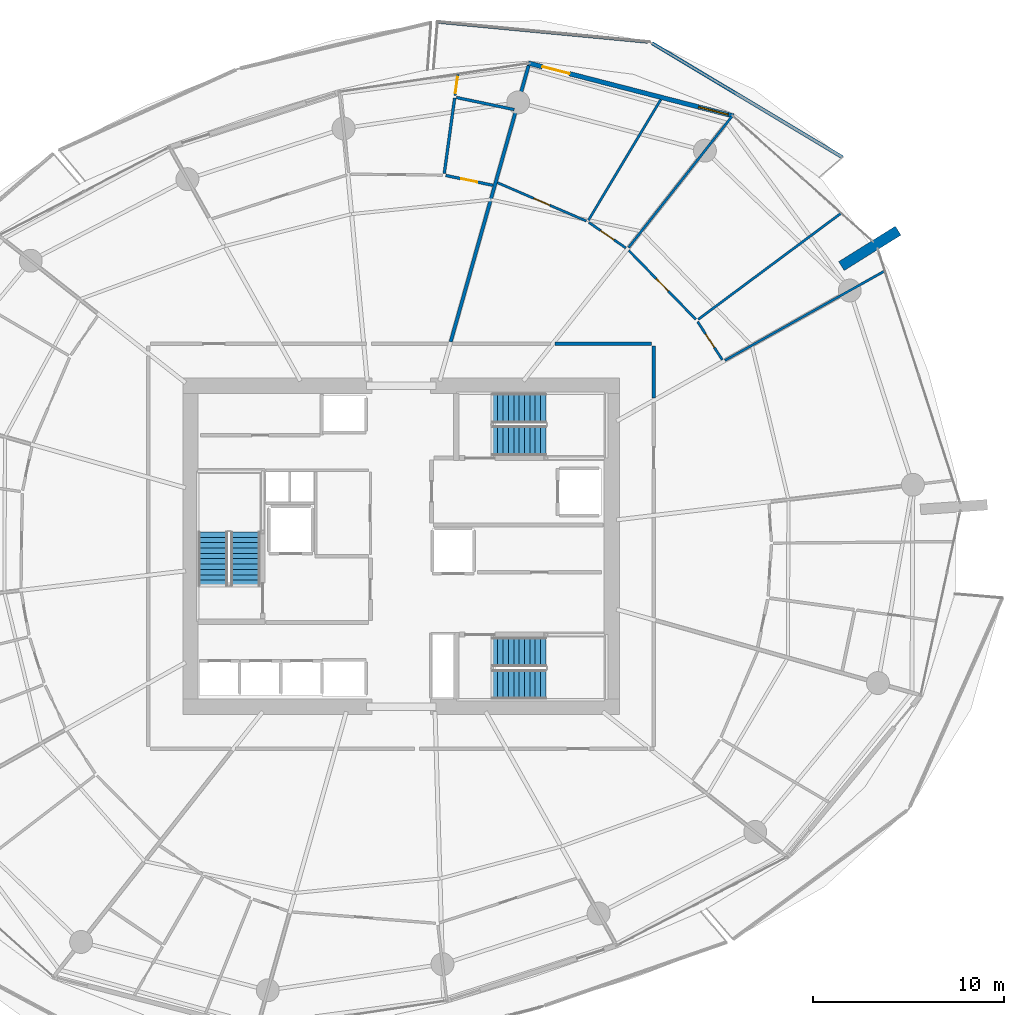
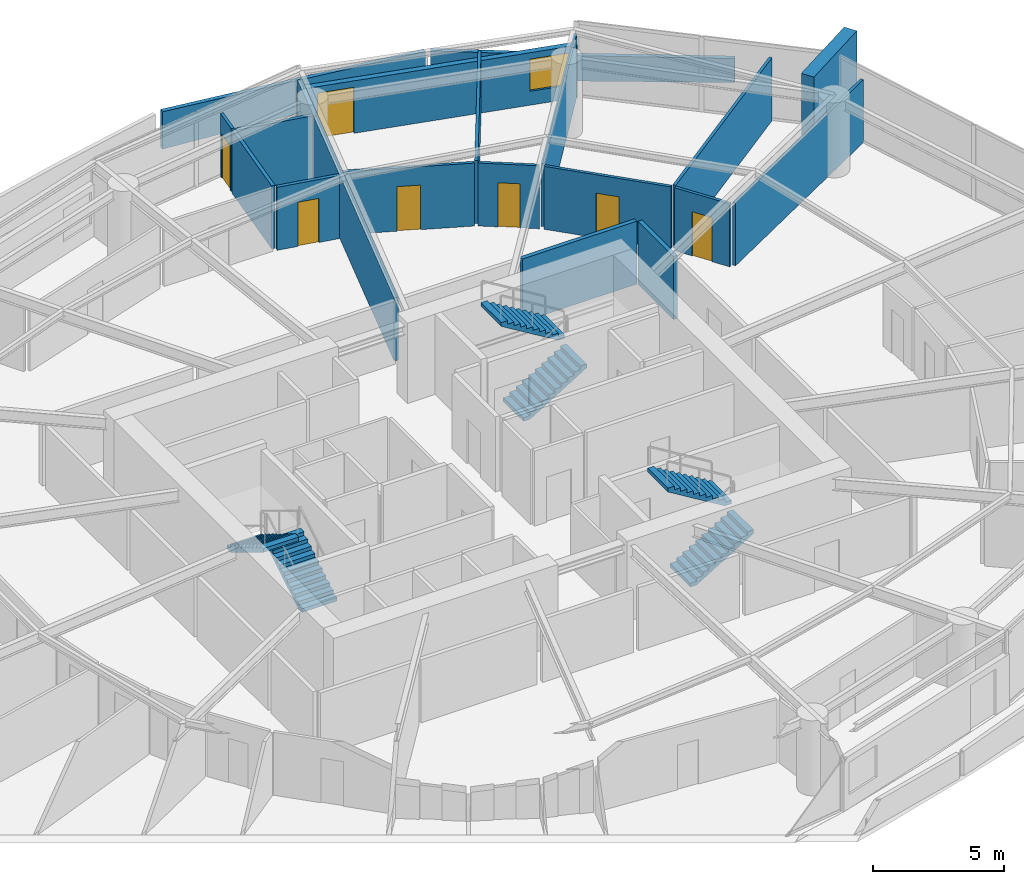
# One storey, part 15 of 22: 19 walls, 7 doors, 6 stair flights, 1 window, 8 openings, 3 elements without a shape of their own.
"""IFC4 building model written with IfcOpenShell, lengths in metres."""

from ifc_helpers import new_model, si_unit, direction, frame, frame_2d, origin, place, context, subcontext, project, spatial, polyline, rectangle, outline, extrude, material, layer, layer_set, type_object, element, fill, aggregate, save


model = new_model("IFC4")

# Units and contexts
model_context = context("Model", 3, precision=1e-05, world=origin(), true_north=direction((0.0, 1.0)))
body_context = subcontext(model_context, "Body", "Model", "MODEL_VIEW")
ifc_project = project(units=[si_unit("LENGTHUNIT", "METRE"), si_unit("AREAUNIT", "SQUARE_METRE"), si_unit("VOLUMEUNIT", "CUBIC_METRE"), si_unit("PLANEANGLEUNIT", "RADIAN"), si_unit("MASSUNIT", "GRAM", prefix="KILO")], contexts=[model_context])

# Site, building, storey
site_placement = place(None, origin())
site = spatial("IfcSite", under=ifc_project, at=site_placement, CompositionType="ELEMENT")
building_placement = place(site_placement, origin())
building = spatial("IfcBuilding", under=site, at=building_placement, Name="Kazma Halo Residences", CompositionType="ELEMENT")
storey_placement = place(building_placement, frame((0.0, 0.0, 90.14990234375)))
storey = spatial("IfcBuildingStorey", under=building, at=storey_placement, Name="L22", CompositionType="ELEMENT", Elevation=90.14990234375)

# Walls
ifc_material_1 = material(Name="White Concrete C50/60 Balustrade", Category="concrete")
ifc_layer_1 = layer(ifc_material_1, 0.179931640625)
ifc_layer_set_1 = layer_set([ifc_layer_1], Name="White Concrete C50/60 Balustrade")
wall_type_1 = type_object("IfcWallType", Name="WL-BAL-WAVE-180", PredefinedType="PARAPET", material=ifc_layer_set_1)
wall_1_placement = place(storey_placement, frame((71.534423828125, 62.35009765625, 0.0), z_axis=(0.0, 0.0, 1.0), x_axis=(-0.857737151829, 0.514088492745, 0.0)))
element("IfcWall", 1, at=wall_1_placement, inside=storey, type_object=wall_type_1, Name="L22 white wave balustrade wall NE.1", PredefinedType="PARAPET", context=body_context, shape_type="SweptSolid", body=[
    extrude(outline(polyline([(0.0, 0.0), (11.638427734375, 0.0), (11.63818359375, 1.34814453125), (5.819091796875, 1.18212890625), (0.0, 1.1201171875), (0.0, 0.0)])), frame((0.0, 0.08984375, 0.0), z_axis=(0.0, -1.0, 0.0), x_axis=(1.0, 0.0, 0.0)), (0.0, 0.0, 1.0), 0.179931640625),
])
wall_2_placement = place(storey_placement, frame((61.329345703125, 68.406494140625, 0.0), z_axis=(0.0, 0.0, 1.0), x_axis=(-0.995493287649, 0.094832031752, 0.0)))
element("IfcWall", 2, at=wall_2_placement, inside=storey, type_object=wall_type_1, Name="L22 white wave balustrade wall NE.2", PredefinedType="PARAPET", context=body_context, shape_type="SweptSolid", body=[
    extrude(outline(polyline([(0.0, 0.0), (11.049560546875, 0.0), (11.0498046875, 1.7470703125), (5.52490234375, 1.56201171875), (0.0, 1.34814453125), (0.0, 0.0)])), frame((0.0, 0.08984375, 0.0), z_axis=(0.0, -1.0, 0.0), x_axis=(1.0, 0.0, 0.0)), (0.0, 0.0, 1.0), 0.179931640625),
])
ifc_material_2 = material(Name="Pale Concrete C60/75", Category="concrete")
ifc_layer_2 = layer(ifc_material_2, 0.550048828125)
ifc_layer_set_2 = layer_set([ifc_layer_2], Name="Pale Concrete C60/75")
wall_type_2 = type_object("IfcWallType", Name="WL-BLADE-550", PredefinedType="SOLIDWALL", material=ifc_layer_set_2)
wall_3_placement = place(storey_placement, frame((71.468505859375, 56.664794921875, 0.0), z_axis=(0.0, 0.0, 1.0), x_axis=(0.848053161125, 0.529911158502, 0.0)))
element("IfcWall", 3, at=wall_3_placement, inside=storey, type_object=wall_type_2, Name="L22 pale concrete structural blade fin wall BW-01", PredefinedType="SOLIDWALL", context=body_context, shape_type="SweptSolid", body=[
    extrude(rectangle(XDim=3.5, YDim=0.550048828125, at=frame_2d((1.75, 0.0))), origin(), (0.0, 0.0, 1.0), 3.75),
])
ifc_material_3 = material(Name="Acoustic Twin-Stud Gypsum")
ifc_layer_3 = layer(ifc_material_3, 0.179931640625)
ifc_layer_set_3 = layer_set([ifc_layer_3], Name="Acoustic Twin-Stud Gypsum")
wall_type_3 = type_object("IfcWallType", Name="WL-DEM-180", PredefinedType="PARTITIONING", material=ifc_layer_set_3)
wall_4_placement = place(storey_placement, frame((51.019287109375, 52.705810546875, 0.0), z_axis=(0.0, 0.0, 1.0), x_axis=(0.271450895995, 0.962452290279, 0.0)))
element("IfcWall", 4, at=wall_4_placement, inside=storey, type_object=wall_type_3, Name="L22 apartment demising radial wall 02", PredefinedType="PARTITIONING", context=body_context, shape_type="SweptSolid", body=[
    extrude(rectangle(XDim=15.014404296875, YDim=0.179931640625, at=frame_2d((7.50732421875, 0.0))), origin(), (0.0, 0.0, 1.0), 2.940185546875),
])
wall_5_placement = place(storey_placement, frame((61.64990234375, 49.764404296875, 0.0), z_axis=(0.0, 0.0, 1.0), x_axis=(0.0, 1.0, 0.0)))
element("IfcWall", 5, at=wall_5_placement, inside=storey, type_object=wall_type_3, Name="L22 Apartment 3 inner wall 0", PredefinedType="PARTITIONING", context=body_context, shape_type="SweptSolid", body=[
    extrude(rectangle(XDim=2.715576171875, YDim=0.179931640625, at=frame_2d((1.35791015625, 0.0))), origin(), (0.0, 0.0, 1.0), 2.940185546875),
])
wall_6_placement = place(storey_placement, frame((61.530029296875, 52.60009765625, 0.0), z_axis=(0.0, 0.0, 1.0), x_axis=(-1.0, 0.0, 0.0)))
element("IfcWall", 6, at=wall_6_placement, inside=storey, type_object=wall_type_3, Name="L22 Apartment 3 inner wall 0", PredefinedType="PARTITIONING", context=body_context, shape_type="SweptSolid", body=[
    extrude(rectangle(XDim=5.0537109375, YDim=0.179931640625, at=frame_2d((2.52685546875, 0.0))), origin(), (0.0, 0.0, 1.0), 2.940185546875),
])

# Wall, openings, door, window
ifc_material_4 = material(Name="Insulated Pale-Metal Composite Wall")
ifc_layer_4 = layer(ifc_material_4, 0.239990234375)
ifc_layer_set_4 = layer_set([ifc_layer_4], Name="Insulated Pale-Metal Composite Wall")
wall_type_4 = type_object("IfcWallType", Name="WL-EXT-HOST-240", PredefinedType="SOLIDWALL", material=ifc_layer_set_4)
wall_7_placement = place(storey_placement, frame((65.81396484375, 64.52294921875, 0.0), z_axis=(0.0, 0.0, 1.0), x_axis=(-0.968356180858, 0.249572248045, 0.0)))
wall_7 = element("IfcWall", 7, at=wall_7_placement, inside=storey, type_object=wall_type_4, Name="L22 exterior terrace-access wall B02", PredefinedType="SOLIDWALL", context=body_context, shape_type="SweptSolid", body=[
    extrude(rectangle(XDim=11.08447265625, YDim=0.239990234375, at=frame_2d((5.542236328125, 0.0))), origin(), (0.0, 0.0, 1.0), 2.4501953125),
])
opening_1_placement = place(wall_7_placement, frame((8.864501953125, 0.0, 0.0)))
opening_1 = element("IfcOpeningElement", 8, at=opening_1_placement, cuts=wall_7, Name="Opening DTR-1600", PredefinedType="OPENING", context=body_context, shape_type="SweptSolid", body=[
    extrude(rectangle(XDim=1.449951171875, YDim=2.14990234375, at=frame_2d((0.72509765625, 1.074951171875))), frame((0.0, 0.1298828125, 0.0), z_axis=(0.0, -1.0, 0.0), x_axis=(1.0, 0.0, 0.0)), (0.0, 0.0, 1.0), 0.260009765625),
])
opening_2_placement = place(wall_7_placement, frame((0.280029296875, 0.0, 0.64990234375)))
opening_2 = element("IfcOpeningElement", 9, at=opening_2_placement, cuts=wall_7, Name="Opening W-1800", PredefinedType="OPENING", context=body_context, shape_type="SweptSolid", body=[
    extrude(rectangle(XDim=1.60009765625, YDim=1.5, at=frame_2d((0.800048828125, 0.75))), frame((0.0, 0.1298828125, 0.0), z_axis=(0.0, -1.0, 0.0), x_axis=(1.0, 0.0, 0.0)), (0.0, 0.0, 1.0), 0.260009765625),
])
ifc_material_5 = material(Name="Aluminium AW-6063 T6 Double-Glazed Terrace Door", Category="aluminium")
door_type_1 = type_object("IfcDoorType", Name="DR-EXT-TERR-1600", OperationType="NOTDEFINED", PredefinedType="DOOR", material=ifc_material_5)
door_1_placement = place(opening_1_placement, origin())
door_1 = element("IfcDoor", 10, at=door_1_placement, inside=storey, type_object=door_type_1, Name="L22 B02 balcony terrace door", OperationType="DOUBLE_DOOR_SLIDING", OverallHeight=2.14990234375, OverallWidth=1.449951171875, PredefinedType="DOOR", context=body_context, shape_type="SweptSolid", body=[
    extrude(rectangle(XDim=1.449951171875, YDim=2.14990234375, at=frame_2d((0.72509765625, 1.074951171875))), frame((0.0, 0.02490234375, 0.0), z_axis=(0.0, -1.0, 0.0), x_axis=(1.0, 0.0, 0.0)), (0.0, 0.0, 1.0), 0.050048828125),
])
fill(opening_1, door_1)
ifc_material_6 = material(Name="Clear Triple-Silver Low-E Glass in Aluminium AW-6063 T6 Frame", Category="aluminium")
window_type = type_object("IfcWindowType", Name="WIN-RES-1800", PartitioningType="DOUBLE_PANEL_VERTICAL", PredefinedType="WINDOW", material=ifc_material_6)
window_placement = place(opening_2_placement, origin())
window = element("IfcWindow", 11, at=window_placement, inside=storey, type_object=window_type, Name="L22 B02 apartment window", OverallHeight=1.5, OverallWidth=1.60009765625, PartitioningType="SINGLE_PANEL", PredefinedType="WINDOW", context=body_context, shape_type="SweptSolid", body=[
    extrude(rectangle(XDim=1.60009765625, YDim=1.5, at=frame_2d((0.800048828125, 0.75))), frame((0.0, 0.030029296875, 0.0), z_axis=(0.0, -1.0, 0.0), x_axis=(1.0, 0.0, 0.0)), (0.0, 0.0, 1.0), 0.06005859375),
])
fill(opening_2, window)

# Wall, opening, door
ifc_material_7 = material(Name="Gypsum Plasterboard Partition")
ifc_layer_5 = layer(ifc_material_7, 0.125)
ifc_layer_set_5 = layer_set([ifc_layer_5], Name="Gypsum Plasterboard Partition")
wall_type_5 = type_object("IfcWallType", Name="WL-PART-125", PredefinedType="PARTITIONING", material=ifc_layer_set_5)
wall_8_placement = place(storey_placement, frame((51.24462890625, 65.594970703125, 0.0), z_axis=(0.0, 0.0, 1.0), x_axis=(0.136353678585, 0.990660221436, 0.0)))
wall_8 = element("IfcWall", 12, at=wall_8_placement, inside=storey, type_object=wall_type_5, Name="L22 Apartment 1 Household Store Room partition wall", PredefinedType="PARTITIONING", context=body_context, shape_type="SweptSolid", body=[
    extrude(rectangle(XDim=1.1064453125, YDim=0.125, at=frame_2d((0.55322265625, 0.0))), origin(), (0.0, 0.0, 1.0), 2.940185546875),
])
opening_3_placement = place(wall_8_placement, frame((0.12841796875, 0.0, 0.0)))
opening_3 = element("IfcOpeningElement", 13, at=opening_3_placement, cuts=wall_8, Name="Opening DB-900", PredefinedType="OPENING", context=body_context, shape_type="SweptSolid", body=[
    extrude(rectangle(XDim=0.85009765625, YDim=2.06005859375, at=frame_2d((0.425048828125, 1.030029296875))), frame((0.0, 0.072509765625, 0.0), z_axis=(0.0, -1.0, 0.0), x_axis=(1.0, 0.0, 0.0)), (0.0, 0.0, 1.0), 0.14501953125),
])
ifc_material_8 = material(Name="Moisture-Sealed Timber Leaf", Category="wood")
door_type_2 = type_object("IfcDoorType", Name="DR-BTH-900", OperationType="NOTDEFINED", PredefinedType="DOOR", material=ifc_material_8)
door_2_placement = place(opening_3_placement, origin())
door_2 = element("IfcDoor", 14, at=door_2_placement, inside=storey, type_object=door_type_2, Name="L22 Apartment 1 Household Store Room door", OperationType="SINGLE_SWING_RIGHT", OverallHeight=2.06005859375, OverallWidth=0.85009765625, PredefinedType="DOOR", context=body_context, shape_type="SweptSolid", body=[
    extrude(rectangle(XDim=0.85009765625, YDim=2.06005859375, at=frame_2d((0.425048828125, 1.030029296875))), frame((0.0, 0.02490234375, 0.0), z_axis=(0.0, -1.0, 0.0), x_axis=(1.0, 0.0, 0.0)), (0.0, 0.0, 1.0), 0.050048828125),
])
fill(opening_3, door_2)

# Walls
wall_9_placement = place(storey_placement, frame((65.373046875, 51.7294921875, 0.0), z_axis=(0.0, 0.0, 1.0), x_axis=(0.872500794254, 0.488612693272, 0.0)))
element("IfcWall", 15, at=wall_9_placement, inside=storey, type_object=wall_type_5, Name="L22 Apartment 3 radial partition 0", PredefinedType="PARTITIONING", context=body_context, shape_type="SweptSolid", body=[
    extrude(rectangle(XDim=9.567626953125, YDim=0.125, at=frame_2d((4.78369140625, 0.0))), origin(), (0.0, 0.0, 1.0), 2.940185546875),
])
wall_10_placement = place(storey_placement, frame((63.971435546875, 53.87451171875, 0.0), z_axis=(0.0, 0.0, 1.0), x_axis=(0.802511356626, 0.596636843052, 0.0)))
element("IfcWall", 16, at=wall_10_placement, inside=storey, type_object=wall_type_5, Name="L22 Apartment 3 mid-bay wall 0", PredefinedType="PARTITIONING", context=body_context, shape_type="SweptSolid", body=[
    extrude(rectangle(XDim=9.294921875, YDim=0.125, at=frame_2d((4.6474609375, 0.0))), origin(), (0.0, 0.0, 1.0), 2.940185546875),
])

# Wall, opening, door
wall_11_placement = place(storey_placement, frame((65.2314453125, 51.764404296875, 0.0), z_axis=(0.0, 0.0, 1.0), x_axis=(-0.543742324159, 0.839252217702, 0.0)))
wall_11 = element("IfcWall", 17, at=wall_11_placement, inside=storey, type_object=wall_type_5, Name="L22 Apartment 3 East Wine Pantry Store hall wall", PredefinedType="PARTITIONING", context=body_context, shape_type="SweptSolid", body=[
    extrude(rectangle(XDim=2.370361328125, YDim=0.125, at=frame_2d((1.18505859375, 0.0))), origin(), (0.0, 0.0, 1.0), 2.940185546875),
])
opening_4_placement = place(wall_11_placement, frame((0.760009765625, 0.0, 0.0)))
opening_4 = element("IfcOpeningElement", 18, at=opening_4_placement, cuts=wall_11, Name="Opening DB-900", PredefinedType="OPENING", context=body_context, shape_type="SweptSolid", body=[
    extrude(rectangle(XDim=0.85009765625, YDim=2.06005859375, at=frame_2d((0.425048828125, 1.030029296875))), frame((0.0, 0.072509765625, 0.0), z_axis=(0.0, -1.0, 0.0), x_axis=(1.0, 0.0, 0.0)), (0.0, 0.0, 1.0), 0.14501953125),
])
door_3_placement = place(opening_4_placement, origin())
door_3 = element("IfcDoor", 19, at=door_3_placement, inside=storey, type_object=door_type_2, Name="L22 Apartment 3 East Wine Pantry Store door", OperationType="SINGLE_SWING_LEFT", OverallHeight=2.06005859375, OverallWidth=0.85009765625, PredefinedType="DOOR", context=body_context, shape_type="SweptSolid", body=[
    extrude(rectangle(XDim=0.85009765625, YDim=2.06005859375, at=frame_2d((0.425048828125, 1.030029296875))), frame((0.0, 0.02490234375, 0.0), z_axis=(0.0, -1.0, 0.0), x_axis=(1.0, 0.0, 0.0)), (0.0, 0.0, 1.0), 0.050048828125),
])
fill(opening_4, door_3)

wall_12_placement = place(storey_placement, frame((63.843505859375, 53.878173828125, 0.0), z_axis=(0.0, 0.0, 1.0), x_axis=(-0.697043758456, 0.717028589944, 0.0)))
wall_12 = element("IfcWall", 20, at=wall_12_placement, inside=storey, type_object=wall_type_5, Name="L22 Apartment 3 West Formal Dining Room hall wall", PredefinedType="PARTITIONING", context=body_context, shape_type="SweptSolid", body=[
    extrude(rectangle(XDim=5.033203125, YDim=0.125, at=frame_2d((2.5166015625, 0.0))), origin(), (0.0, 0.0, 1.0), 2.940185546875),
])
opening_5_placement = place(wall_12_placement, frame((2.06640625, 0.0, 0.0)))
opening_5 = element("IfcOpeningElement", 21, at=opening_5_placement, cuts=wall_12, Name="Opening DI-950", PredefinedType="OPENING", context=body_context, shape_type="SweptSolid", body=[
    extrude(rectangle(XDim=0.89990234375, YDim=2.080078125, at=frame_2d((0.449951171875, 1.0400390625))), frame((0.0, 0.072509765625, 0.0), z_axis=(0.0, -1.0, 0.0), x_axis=(1.0, 0.0, 0.0)), (0.0, 0.0, 1.0), 0.14501953125),
])
ifc_material_9 = material(Name="Timber Veneer Flush Leaf", Category="wood")
door_type_3 = type_object("IfcDoorType", Name="DR-INT-950", OperationType="NOTDEFINED", PredefinedType="DOOR", material=ifc_material_9)
door_4_placement = place(opening_5_placement, origin())
door_4 = element("IfcDoor", 22, at=door_4_placement, inside=storey, type_object=door_type_3, Name="L22 Apartment 3 West Formal Dining Room door", OperationType="SINGLE_SWING_RIGHT", OverallHeight=2.080078125, OverallWidth=0.89990234375, PredefinedType="DOOR", context=body_context, shape_type="SweptSolid", body=[
    extrude(rectangle(XDim=0.89990234375, YDim=2.080078125, at=frame_2d((0.449951171875, 1.0400390625))), frame((0.0, 0.02490234375, 0.0), z_axis=(0.0, -1.0, 0.0), x_axis=(1.0, 0.0, 0.0)), (0.0, 0.0, 1.0), 0.050048828125),
])
fill(opening_5, door_4)

# Walls
wall_13_placement = place(storey_placement, frame((60.327392578125, 57.63720703125, 0.0), z_axis=(0.0, 0.0, 1.0), x_axis=(0.619087433546, 0.785322067451, 0.0)))
element("IfcWall", 23, at=wall_13_placement, inside=storey, type_object=wall_type_5, Name="L22 Apartment 3 radial partition 1", PredefinedType="PARTITIONING", context=body_context, shape_type="SweptSolid", body=[
    extrude(rectangle(XDim=8.759033203125, YDim=0.125, at=frame_2d((4.37939453125, 0.0))), origin(), (0.0, 0.0, 1.0), 2.940185546875),
])
wall_14_placement = place(storey_placement, frame((58.231689453125, 59.070556640625, 0.0), z_axis=(0.0, 0.0, 1.0), x_axis=(0.514095403265, 0.857733009941, 0.0)))
element("IfcWall", 24, at=wall_14_placement, inside=storey, type_object=wall_type_5, Name="L22 Apartment 3 mid-bay wall 1", PredefinedType="PARTITIONING", context=body_context, shape_type="SweptSolid", body=[
    extrude(rectangle(XDim=7.354736328125, YDim=0.125, at=frame_2d((3.67724609375, 0.0))), origin(), (0.0, 0.0, 1.0), 2.940185546875),
])

# Wall, opening, door
wall_15_placement = place(storey_placement, frame((60.18310546875, 57.615478515625, 0.0), z_axis=(0.0, 0.0, 1.0), x_axis=(-0.823175900657, 0.567786435711, 0.0)))
wall_15 = element("IfcWall", 25, at=wall_15_placement, inside=storey, type_object=wall_type_5, Name="L22 Apartment 3 North Dressing Wardrobe hall wall", PredefinedType="PARTITIONING", context=body_context, shape_type="SweptSolid", body=[
    extrude(rectangle(XDim=2.346923828125, YDim=0.125, at=frame_2d((1.17333984375, 0.0))), origin(), (0.0, 0.0, 1.0), 2.940185546875),
])
opening_6_placement = place(wall_15_placement, frame((0.748291015625, 0.0, 0.0)))
opening_6 = element("IfcOpeningElement", 26, at=opening_6_placement, cuts=wall_15, Name="Opening DB-900", PredefinedType="OPENING", context=body_context, shape_type="SweptSolid", body=[
    extrude(rectangle(XDim=0.85009765625, YDim=2.06005859375, at=frame_2d((0.425048828125, 1.030029296875))), frame((0.0, 0.072509765625, 0.0), z_axis=(0.0, -1.0, 0.0), x_axis=(1.0, 0.0, 0.0)), (0.0, 0.0, 1.0), 0.14501953125),
])
door_5_placement = place(opening_6_placement, origin())
door_5 = element("IfcDoor", 27, at=door_5_placement, inside=storey, type_object=door_type_2, Name="L22 Apartment 3 North Dressing Wardrobe door", OperationType="SINGLE_SWING_RIGHT", OverallHeight=2.06005859375, OverallWidth=0.85009765625, PredefinedType="DOOR", context=body_context, shape_type="SweptSolid", body=[
    extrude(rectangle(XDim=0.85009765625, YDim=2.06005859375, at=frame_2d((0.425048828125, 1.030029296875))), frame((0.0, 0.02490234375, 0.0), z_axis=(0.0, -1.0, 0.0), x_axis=(1.0, 0.0, 0.0)), (0.0, 0.0, 1.0), 0.050048828125),
])
fill(opening_6, door_5)

wall_16_placement = place(storey_placement, frame((58.11181640625, 59.02490234375, 0.0), z_axis=(0.0, 0.0, 1.0), x_axis=(-0.918133031735, 0.396272300365, 0.0)))
wall_16 = element("IfcWall", 28, at=wall_16_placement, inside=storey, type_object=wall_type_5, Name="L22 Apartment 3 South Master Bedroom hall wall", PredefinedType="PARTITIONING", context=body_context, shape_type="SweptSolid", body=[
    extrude(rectangle(XDim=5.056396484375, YDim=0.125, at=frame_2d((2.5283203125, 0.0))), origin(), (0.0, 0.0, 1.0), 2.940185546875),
])
opening_7_placement = place(wall_16_placement, frame((2.078125, 0.0, 0.0)))
opening_7 = element("IfcOpeningElement", 29, at=opening_7_placement, cuts=wall_16, Name="Opening DI-950", PredefinedType="OPENING", context=body_context, shape_type="SweptSolid", body=[
    extrude(rectangle(XDim=0.89990234375, YDim=2.080078125, at=frame_2d((0.449951171875, 1.0400390625))), frame((0.0, 0.072509765625, 0.0), z_axis=(0.0, -1.0, 0.0), x_axis=(1.0, 0.0, 0.0)), (0.0, 0.0, 1.0), 0.14501953125),
])
door_6_placement = place(opening_7_placement, origin())
door_6 = element("IfcDoor", 30, at=door_6_placement, inside=storey, type_object=door_type_3, Name="L22 Apartment 3 South Master Bedroom door", OperationType="SINGLE_SWING_LEFT", OverallHeight=2.080078125, OverallWidth=0.89990234375, PredefinedType="DOOR", context=body_context, shape_type="SweptSolid", body=[
    extrude(rectangle(XDim=0.89990234375, YDim=2.080078125, at=frame_2d((0.449951171875, 1.0400390625))), frame((0.0, 0.02490234375, 0.0), z_axis=(0.0, -1.0, 0.0), x_axis=(1.0, 0.0, 0.0)), (0.0, 0.0, 1.0), 0.050048828125),
])
fill(opening_7, door_6)

ifc_material_10 = material(Name="Moisture-Resistant Gypsum")
ifc_layer_6 = layer(ifc_material_10, 0.14990234375)
ifc_layer_set_6 = layer_set([ifc_layer_6], Name="Moisture-Resistant Gypsum")
wall_type_6 = type_object("IfcWallType", Name="WL-WET-150", PredefinedType="PARTITIONING", material=ifc_layer_set_6)
wall_17_placement = place(storey_placement, frame((53.224853515625, 60.893310546875, 0.0), z_axis=(0.0, 0.0, 1.0), x_axis=(-0.978917465899, 0.204256199312, 0.0)))
wall_17 = element("IfcWall", 31, at=wall_17_placement, inside=storey, type_object=wall_type_6, Name="L22 Apartment 1 Guest Bathroom hall wall", PredefinedType="PARTITIONING", context=body_context, shape_type="SweptSolid", body=[
    extrude(rectangle(XDim=2.518310546875, YDim=0.14990234375, at=frame_2d((1.25927734375, 0.0))), origin(), (0.0, 0.0, 1.0), 2.940185546875),
])
opening_8_placement = place(wall_17_placement, frame((0.834228515625, 0.0, 0.0)))
opening_8 = element("IfcOpeningElement", 32, at=opening_8_placement, cuts=wall_17, Name="Opening DB-900", PredefinedType="OPENING", context=body_context, shape_type="SweptSolid", body=[
    extrude(rectangle(XDim=0.85009765625, YDim=2.06005859375, at=frame_2d((0.425048828125, 1.030029296875))), frame((0.0, 0.0849609375, 0.0), z_axis=(0.0, -1.0, 0.0), x_axis=(1.0, 0.0, 0.0)), (0.0, 0.0, 1.0), 0.169921875),
])
door_7_placement = place(opening_8_placement, origin())
door_7 = element("IfcDoor", 33, at=door_7_placement, inside=storey, type_object=door_type_2, Name="L22 Apartment 1 Guest Bathroom door", OperationType="SINGLE_SWING_LEFT", OverallHeight=2.06005859375, OverallWidth=0.85009765625, PredefinedType="DOOR", context=body_context, shape_type="SweptSolid", body=[
    extrude(rectangle(XDim=0.85009765625, YDim=2.06005859375, at=frame_2d((0.425048828125, 1.030029296875))), frame((0.0, 0.02490234375, 0.0), z_axis=(0.0, -1.0, 0.0), x_axis=(1.0, 0.0, 0.0)), (0.0, 0.0, 1.0), 0.050048828125),
])
fill(opening_8, door_7)

# Walls
wall_18_placement = place(storey_placement, frame((54.342529296875, 64.856689453125, 0.0), z_axis=(0.0, 0.0, 1.0), x_axis=(-0.9789132564, 0.2042763727, 0.0)))
element("IfcWall", 34, at=wall_18_placement, inside=storey, type_object=wall_type_6, Name="L22 Apartment 1 Guest Bathroom back wall", PredefinedType="PARTITIONING", context=body_context, shape_type="SweptSolid", body=[
    extrude(rectangle(XDim=3.087158203125, YDim=0.14990234375, at=frame_2d((1.54345703125, 0.0))), origin(), (0.0, 0.0, 1.0), 2.940185546875),
])
wall_19_placement = place(storey_placement, frame((50.68359375, 61.515380859375, 0.0), z_axis=(0.0, 0.0, 1.0), x_axis=(0.136268658076, 0.990671919874, 0.0)))
element("IfcWall", 35, at=wall_19_placement, inside=storey, type_object=wall_type_6, Name="L22 Apartment 1 Guest Bathroom side wall", PredefinedType="PARTITIONING", context=body_context, shape_type="SweptSolid", body=[
    extrude(rectangle(XDim=3.988037109375, YDim=0.14990234375, at=frame_2d((1.994140625, 0.0))), origin(), (0.0, 0.0, 1.0), 2.940185546875),
])

# Stair, stair flights
ifc_material_11 = material(Name="Concrete C50/60", Category="concrete")
stair_type = type_object("IfcStairType", Name="STR-RES1", PredefinedType="HALF_TURN_STAIR", material=ifc_material_11)
stair_1_placement = place(storey_placement, origin())
stair_1 = element("IfcStair", 36, at=stair_1_placement, inside=storey, type_object=stair_type, Name="L22 Core exit stair ST-01", PredefinedType="HALF_TURN_STAIR")
stair_flight_type = type_object("IfcStairFlightType", Name="STR-RES1-FLT", PredefinedType="STRAIGHT", material=ifc_material_11)
stair_flight_1_placement = place(storey_placement, frame((40.27490234375, 39.949951171875, 0.0), z_axis=(0.0, 0.0, 1.0), x_axis=(0.0, 1.0, 0.0)))
stair_flight_1 = element("IfcStairFlight", 37, at=stair_flight_1_placement, type_object=stair_flight_type, Name="ST-01 flight 1", NumberOfRisers=11, NumberOfTreads=10, PredefinedType="STRAIGHT", RiserHeight=0.170454545, TreadLength=0.28, context=body_context, shape_type="SweptSolid", body=[
    extrude(outline(polyline([(0.0, 0.0), (0.0, 0.17041015625), (0.280029296875, 0.17041015625), (0.280029296875, 0.3408203125), (0.56005859375, 0.3408203125), (0.56005859375, 0.511474609375), (0.840087890625, 0.511474609375), (0.840087890625, 0.681884765625), (1.1201171875, 0.681884765625), (1.1201171875, 0.852294921875), (1.39990234375, 0.852294921875), (1.39990234375, 1.022705078125), (1.679931640625, 1.022705078125), (1.679931640625, 1.193115234375), (1.9599609375, 1.193115234375), (1.9599609375, 1.363525390625), (2.239990234375, 1.363525390625), (2.239990234375, 1.5341796875), (2.52001953125, 1.5341796875), (2.52001953125, 1.70458984375), (2.800048828125, 1.70458984375), (2.800048828125, 1.875), (2.800048828125, 1.529052734375), (0.288330078125, 0.0), (0.0, 0.0)])), frame((0.0, 0.77490234375, 0.0), z_axis=(0.0, -1.0, 0.0), x_axis=(1.0, 0.0, 0.0)), (0.0, 0.0, 1.0), 1.550048828125),
])
stair_flight_2_placement = place(storey_placement, frame((38.574951171875, 42.75, 1.875), z_axis=(0.0, 0.0, 1.0), x_axis=(0.0, -1.0, 0.0)))
stair_flight_2 = element("IfcStairFlight", 38, at=stair_flight_2_placement, type_object=stair_flight_type, Name="ST-01 flight 2", NumberOfRisers=11, NumberOfTreads=10, PredefinedType="STRAIGHT", RiserHeight=0.170454545, TreadLength=0.28, context=body_context, shape_type="SweptSolid", body=[
    extrude(outline(polyline([(0.0, 0.0), (0.0, 0.17041015625), (0.280029296875, 0.17041015625), (0.280029296875, 0.3408203125), (0.56005859375, 0.3408203125), (0.56005859375, 0.511474609375), (0.840087890625, 0.511474609375), (0.840087890625, 0.681884765625), (1.1201171875, 0.681884765625), (1.1201171875, 0.852294921875), (1.39990234375, 0.852294921875), (1.39990234375, 1.022705078125), (1.679931640625, 1.022705078125), (1.679931640625, 1.193115234375), (1.9599609375, 1.193115234375), (1.9599609375, 1.363525390625), (2.239990234375, 1.363525390625), (2.239990234375, 1.5341796875), (2.52001953125, 1.5341796875), (2.52001953125, 1.70458984375), (2.800048828125, 1.70458984375), (2.800048828125, 1.875), (2.800048828125, 1.529052734375), (0.288330078125, 0.0), (0.0, 0.0)])), frame((0.0, 0.77490234375, 0.0), z_axis=(0.0, -1.0, 0.0), x_axis=(1.0, 0.0, 0.0)), (0.0, 0.0, 1.0), 1.550048828125),
])
aggregate(stair_1, [stair_flight_1, stair_flight_2])

stair_2_placement = place(storey_placement, origin())
stair_2 = element("IfcStair", 39, at=stair_2_placement, inside=storey, type_object=stair_type, Name="L22 Core exit stair ST-02", PredefinedType="HALF_TURN_STAIR")
stair_flight_3_placement = place(storey_placement, frame((53.199951171875, 47.52490234375, 0.0), z_axis=(0.0, 0.0, 1.0), x_axis=(1.0, 0.0, 0.0)))
stair_flight_3 = element("IfcStairFlight", 40, at=stair_flight_3_placement, type_object=stair_flight_type, Name="ST-02 flight 1", NumberOfRisers=11, NumberOfTreads=10, PredefinedType="STRAIGHT", RiserHeight=0.170454545, TreadLength=0.28, context=body_context, shape_type="SweptSolid", body=[
    extrude(outline(polyline([(0.0, 0.0), (0.0, 0.17041015625), (0.280029296875, 0.17041015625), (0.280029296875, 0.3408203125), (0.56005859375, 0.3408203125), (0.56005859375, 0.511474609375), (0.840087890625, 0.511474609375), (0.840087890625, 0.681884765625), (1.1201171875, 0.681884765625), (1.1201171875, 0.852294921875), (1.39990234375, 0.852294921875), (1.39990234375, 1.022705078125), (1.679931640625, 1.022705078125), (1.679931640625, 1.193115234375), (1.9599609375, 1.193115234375), (1.9599609375, 1.363525390625), (2.239990234375, 1.363525390625), (2.239990234375, 1.5341796875), (2.52001953125, 1.5341796875), (2.52001953125, 1.70458984375), (2.800048828125, 1.70458984375), (2.800048828125, 1.875), (2.800048828125, 1.529052734375), (0.288330078125, 0.0), (0.0, 0.0)])), frame((0.0, 0.77490234375, 0.0), z_axis=(0.0, -1.0, 0.0), x_axis=(1.0, 0.0, 0.0)), (0.0, 0.0, 1.0), 1.550048828125),
])
stair_flight_4_placement = place(storey_placement, frame((56.0, 49.22509765625, 1.875), z_axis=(0.0, 0.0, 1.0), x_axis=(-1.0, 0.0, 0.0)))
stair_flight_4 = element("IfcStairFlight", 41, at=stair_flight_4_placement, type_object=stair_flight_type, Name="ST-02 flight 2", NumberOfRisers=11, NumberOfTreads=10, PredefinedType="STRAIGHT", RiserHeight=0.170454545, TreadLength=0.28, context=body_context, shape_type="SweptSolid", body=[
    extrude(outline(polyline([(0.0, 0.0), (0.0, 0.17041015625), (0.280029296875, 0.17041015625), (0.280029296875, 0.3408203125), (0.56005859375, 0.3408203125), (0.56005859375, 0.511474609375), (0.840087890625, 0.511474609375), (0.840087890625, 0.681884765625), (1.1201171875, 0.681884765625), (1.1201171875, 0.852294921875), (1.39990234375, 0.852294921875), (1.39990234375, 1.022705078125), (1.679931640625, 1.022705078125), (1.679931640625, 1.193115234375), (1.9599609375, 1.193115234375), (1.9599609375, 1.363525390625), (2.239990234375, 1.363525390625), (2.239990234375, 1.5341796875), (2.52001953125, 1.5341796875), (2.52001953125, 1.70458984375), (2.800048828125, 1.70458984375), (2.800048828125, 1.875), (2.800048828125, 1.529052734375), (0.288330078125, 0.0), (0.0, 0.0)])), frame((0.0, 0.77490234375, 0.0), z_axis=(0.0, -1.0, 0.0), x_axis=(1.0, 0.0, 0.0)), (0.0, 0.0, 1.0), 1.550048828125),
])
aggregate(stair_2, [stair_flight_3, stair_flight_4])

stair_3_placement = place(storey_placement, origin())
stair_3 = element("IfcStair", 42, at=stair_3_placement, inside=storey, type_object=stair_type, Name="L22 Core exit stair ST-03", PredefinedType="HALF_TURN_STAIR")
stair_flight_5_placement = place(storey_placement, frame((53.199951171875, 34.77490234375, 0.0), z_axis=(0.0, 0.0, 1.0), x_axis=(1.0, 0.0, 0.0)))
stair_flight_5 = element("IfcStairFlight", 43, at=stair_flight_5_placement, type_object=stair_flight_type, Name="ST-03 flight 1", NumberOfRisers=11, NumberOfTreads=10, PredefinedType="STRAIGHT", RiserHeight=0.170454545, TreadLength=0.28, context=body_context, shape_type="SweptSolid", body=[
    extrude(outline(polyline([(0.0, 0.0), (0.0, 0.17041015625), (0.280029296875, 0.17041015625), (0.280029296875, 0.3408203125), (0.56005859375, 0.3408203125), (0.56005859375, 0.511474609375), (0.840087890625, 0.511474609375), (0.840087890625, 0.681884765625), (1.1201171875, 0.681884765625), (1.1201171875, 0.852294921875), (1.39990234375, 0.852294921875), (1.39990234375, 1.022705078125), (1.679931640625, 1.022705078125), (1.679931640625, 1.193115234375), (1.9599609375, 1.193115234375), (1.9599609375, 1.363525390625), (2.239990234375, 1.363525390625), (2.239990234375, 1.5341796875), (2.52001953125, 1.5341796875), (2.52001953125, 1.70458984375), (2.800048828125, 1.70458984375), (2.800048828125, 1.875), (2.800048828125, 1.529052734375), (0.288330078125, 0.0), (0.0, 0.0)])), frame((0.0, 0.77490234375, 0.0), z_axis=(0.0, -1.0, 0.0), x_axis=(1.0, 0.0, 0.0)), (0.0, 0.0, 1.0), 1.550048828125),
])
stair_flight_6_placement = place(storey_placement, frame((56.0, 36.47509765625, 1.875), z_axis=(0.0, 0.0, 1.0), x_axis=(-1.0, 0.0, 0.0)))
stair_flight_6 = element("IfcStairFlight", 44, at=stair_flight_6_placement, type_object=stair_flight_type, Name="ST-03 flight 2", NumberOfRisers=11, NumberOfTreads=10, PredefinedType="STRAIGHT", RiserHeight=0.170454545, TreadLength=0.28, context=body_context, shape_type="SweptSolid", body=[
    extrude(outline(polyline([(0.0, 0.0), (0.0, 0.17041015625), (0.280029296875, 0.17041015625), (0.280029296875, 0.3408203125), (0.56005859375, 0.3408203125), (0.56005859375, 0.511474609375), (0.840087890625, 0.511474609375), (0.840087890625, 0.681884765625), (1.1201171875, 0.681884765625), (1.1201171875, 0.852294921875), (1.39990234375, 0.852294921875), (1.39990234375, 1.022705078125), (1.679931640625, 1.022705078125), (1.679931640625, 1.193115234375), (1.9599609375, 1.193115234375), (1.9599609375, 1.363525390625), (2.239990234375, 1.363525390625), (2.239990234375, 1.5341796875), (2.52001953125, 1.5341796875), (2.52001953125, 1.70458984375), (2.800048828125, 1.70458984375), (2.800048828125, 1.875), (2.800048828125, 1.529052734375), (0.288330078125, 0.0), (0.0, 0.0)])), frame((0.0, 0.77490234375, 0.0), z_axis=(0.0, -1.0, 0.0), x_axis=(1.0, 0.0, 0.0)), (0.0, 0.0, 1.0), 1.550048828125),
])
aggregate(stair_3, [stair_flight_5, stair_flight_6])

save(model, "model.ifc")
